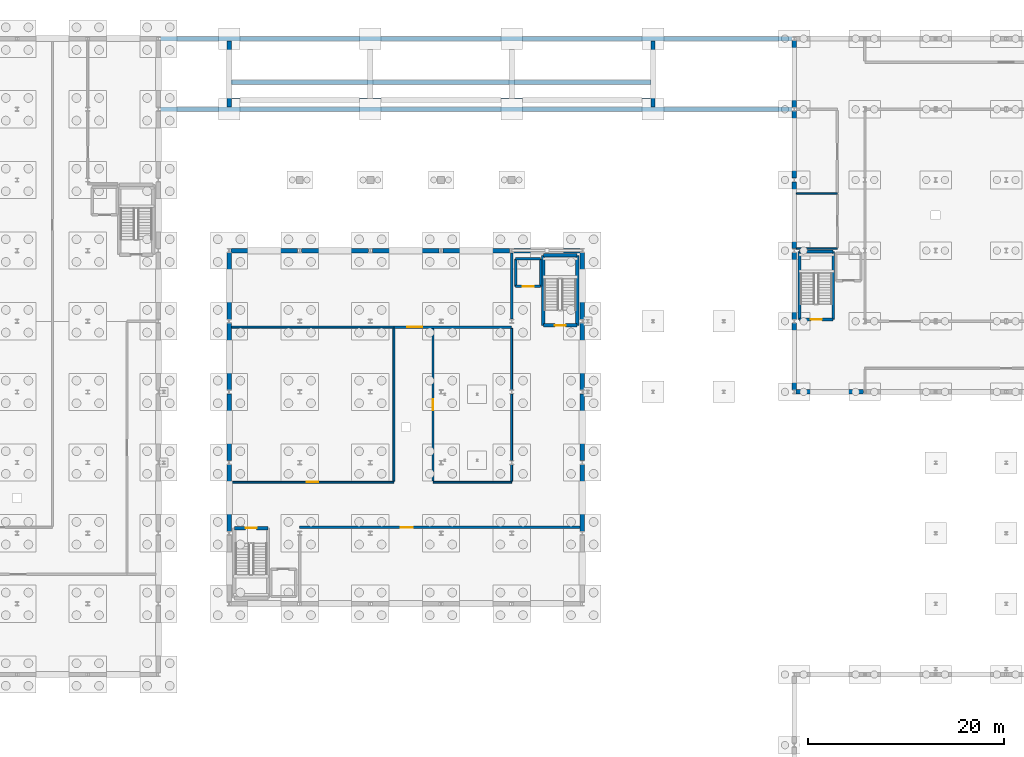
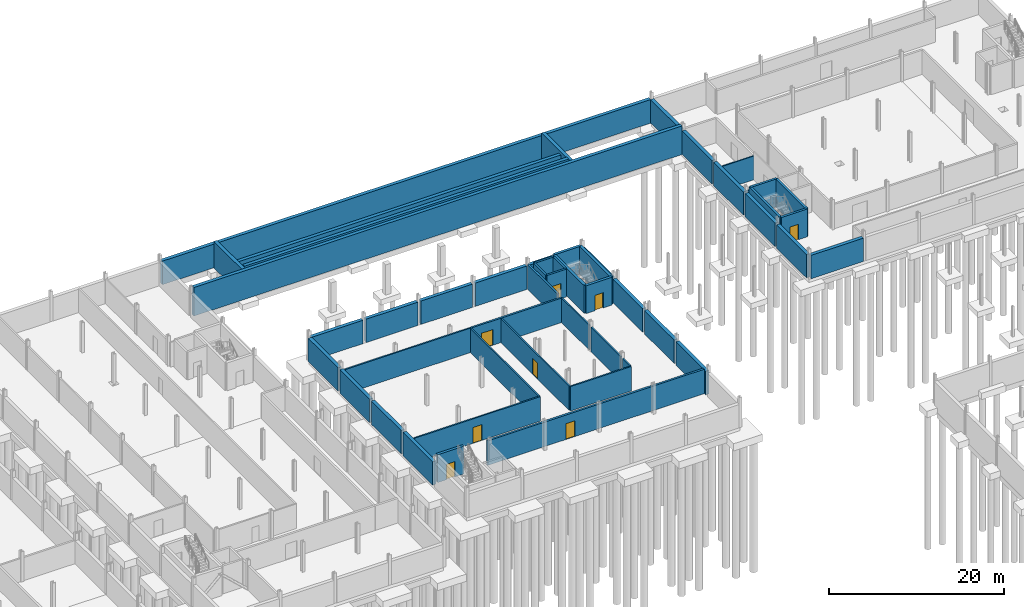
# One storey, part 39 of 50: 51 walls, 8 doors, 8 openings.
"""IFC4 building model written with IfcOpenShell, lengths in metres."""

from ifc_helpers import new_model, si_unit, direction, frame, frame_2d, origin, place, context, subcontext, project, spatial, rectangle, extrude, material, layer, layer_set, type_object, element, fill, save


model = new_model("IFC4")

# Units and contexts
model_context = context("Model", 3, precision=1e-05, world=origin(), true_north=direction((0.0, 1.0)))
body_context = subcontext(model_context, "Body", "Model", "MODEL_VIEW")
ifc_project = project(units=[si_unit("LENGTHUNIT", "METRE"), si_unit("AREAUNIT", "SQUARE_METRE"), si_unit("VOLUMEUNIT", "CUBIC_METRE"), si_unit("PLANEANGLEUNIT", "RADIAN"), si_unit("MASSUNIT", "GRAM", prefix="KILO")], contexts=[model_context])

# Site, building, storey
site_placement = place(None, origin())
site = spatial("IfcSite", under=ifc_project, at=site_placement, CompositionType="ELEMENT")
building_placement = place(site_placement, origin())
building = spatial("IfcBuilding", under=site, at=building_placement, Name="Narikvali Park Central Library", CompositionType="ELEMENT")
storey_placement = place(building_placement, frame((0.0, 0.0, -4.199951171875)))
storey = spatial("IfcBuildingStorey", under=building, at=storey_placement, Name="B1", CompositionType="ELEMENT", Elevation=-4.199951171875)

# Walls
ifc_material_1 = material(Name="Concrete C35/45", Category="concrete")
ifc_layer_1 = layer(ifc_material_1, 0.449951171875, Name="Concrete C35/45")
ifc_layer_set_1 = layer_set([ifc_layer_1], Name="Concrete C35/45")
wall_type_1 = type_object("IfcWallType", Name="Basement Perimeter Retaining Wall 450", PredefinedType="USERDEFINED", material=ifc_layer_set_1)
for number, where, z_axis, x_axis, name in (
    (1, (65.00048828125, 93.60009765625, 0.0), (0.0, 0.0, 1.0), (1.0, 0.0, 0.0), "V1 B1 Retaining Wall N"),
    (2, (72.200439453125, 93.60009765625, 0.0), (0.0, 0.0, 1.0), (1.0, 0.0, 0.0), "V1 B1 Retaining Wall N"),
    (3, (79.400390625, 93.60009765625, 0.0), (0.0, 0.0, 1.0), (1.0, 0.0, 0.0), "V1 B1 Retaining Wall N"),
):
    element("IfcWall", number, at=place(storey_placement, frame(where, z_axis=z_axis, x_axis=x_axis)), inside=storey, type_object=wall_type_1, Name=name, ObjectType="RETAINING WALL", PredefinedType="USERDEFINED", context=body_context, shape_type="SweptSolid", body=[
        extrude(rectangle(XDim=6.799072265625, YDim=0.449951171875, at=frame_2d((3.3994140625, 0.0))), origin(), (0.0, 0.0, 1.0), 3.260009765625),
    ])
wall_1_placement = place(storey_placement, frame((86.6005859375, 93.60009765625, 0.0), z_axis=(0.0, 0.0, 1.0), x_axis=(1.0, 0.0, 0.0)))
element("IfcWall", 4, at=wall_1_placement, inside=storey, type_object=wall_type_1, Name="V1 B1 Retaining Wall N", ObjectType="RETAINING WALL", PredefinedType="USERDEFINED", context=body_context, shape_type="SweptSolid", body=[
    extrude(rectangle(XDim=6.798828125, YDim=0.449951171875, at=frame_2d((3.3994140625, 0.0))), origin(), (0.0, 0.0, 1.0), 3.260009765625),
])
wall_2_placement = place(storey_placement, frame((93.800537109375, 93.60009765625, 0.0), z_axis=(0.0, 0.0, 1.0), x_axis=(1.0, 0.0, 0.0)))
element("IfcWall", 5, at=wall_2_placement, inside=storey, type_object=wall_type_1, Name="V1 B1 Retaining Wall N", ObjectType="RETAINING WALL", PredefinedType="USERDEFINED", context=body_context, shape_type="SweptSolid", body=[
    extrude(rectangle(XDim=6.799072265625, YDim=0.449951171875, at=frame_2d((3.3994140625, 0.0))), origin(), (0.0, 0.0, 1.0), 3.260009765625),
])
for number, where, z_axis, x_axis, name in (
    (6, (64.800048828125, 64.99951171875, 0.0), (0.0, 0.0, 1.0), (0.0, 1.0, 0.0), "V1 B1 Retaining Wall W"),
    (7, (100.800048828125, 64.99951171875, 0.0), (0.0, 0.0, 1.0), (0.0, 1.0, 0.0), "V1 B1 Retaining Wall E"),
    (8, (64.800048828125, 72.199462890625, 0.0), (0.0, 0.0, 1.0), (0.0, 1.0, 0.0), "V1 B1 Retaining Wall W"),
    (9, (100.800048828125, 72.199462890625, 0.0), (0.0, 0.0, 1.0), (0.0, 1.0, 0.0), "V1 B1 Retaining Wall E"),
    (10, (64.800048828125, 79.3994140625, 0.0), (0.0, 0.0, 1.0), (0.0, 1.0, 0.0), "V1 B1 Retaining Wall W"),
    (11, (100.800048828125, 79.3994140625, 0.0), (0.0, 0.0, 1.0), (0.0, 1.0, 0.0), "V1 B1 Retaining Wall E"),
):
    element("IfcWall", number, at=place(storey_placement, frame(where, z_axis=z_axis, x_axis=x_axis)), inside=storey, type_object=wall_type_1, Name=name, ObjectType="RETAINING WALL", PredefinedType="USERDEFINED", context=body_context, shape_type="SweptSolid", body=[
        extrude(rectangle(XDim=6.801025390625, YDim=0.449951171875, at=frame_2d((3.400390625, 0.0))), origin(), (0.0, 0.0, 1.0), 3.260009765625),
    ])
for number, where, z_axis, x_axis, name in (
    (12, (64.800048828125, 86.599609375, 0.0), (0.0, 0.0, 1.0), (0.0, 1.0, 0.0), "V1 B1 Retaining Wall W"),
    (13, (100.800048828125, 86.599609375, 0.0), (0.0, 0.0, 1.0), (0.0, 1.0, 0.0), "V1 B1 Retaining Wall E"),
):
    element("IfcWall", number, at=place(storey_placement, frame(where, z_axis=z_axis, x_axis=x_axis)), inside=storey, type_object=wall_type_1, Name=name, ObjectType="RETAINING WALL", PredefinedType="USERDEFINED", context=body_context, shape_type="SweptSolid", body=[
        extrude(rectangle(XDim=6.80078125, YDim=0.449951171875, at=frame_2d((3.400390625, 0.0))), origin(), (0.0, 0.0, 1.0), 3.260009765625),
    ])
wall_3_placement = place(storey_placement, frame((122.553955078125, 79.199951171875, 0.0), z_axis=(0.0, 0.0, 1.0), x_axis=(1.0, 0.0, 0.0)))
element("IfcWall", 14, at=wall_3_placement, inside=storey, type_object=wall_type_1, Name="V3 B1 Retaining Wall S", ObjectType="RETAINING WALL", PredefinedType="USERDEFINED", context=body_context, shape_type="SweptSolid", body=[
    extrude(rectangle(XDim=6.89208984375, YDim=0.449951171875, at=frame_2d((3.446044921875, 0.0))), origin(), (0.0, 0.0, 1.0), 3.260009765625),
])
wall_4_placement = place(storey_placement, frame((122.39990234375, 79.3974609375, 0.0), z_axis=(0.0, 0.0, 1.0), x_axis=(0.0, 1.0, 0.0)))
element("IfcWall", 15, at=wall_4_placement, inside=storey, type_object=wall_type_1, Name="V3 B1 Retaining Wall W", ObjectType="RETAINING WALL", PredefinedType="USERDEFINED", context=body_context, shape_type="SweptSolid", body=[
    extrude(rectangle(XDim=6.804931640625, YDim=0.449951171875, at=frame_2d((3.40234375, 0.0))), origin(), (0.0, 0.0, 1.0), 3.260009765625),
])
wall_5_placement = place(storey_placement, frame((122.39990234375, 86.597412109375, 0.0), z_axis=(0.0, 0.0, 1.0), x_axis=(0.0, 1.0, 0.0)))
element("IfcWall", 16, at=wall_5_placement, inside=storey, type_object=wall_type_1, Name="V3 B1 Retaining Wall W", ObjectType="RETAINING WALL", PredefinedType="USERDEFINED", context=body_context, shape_type="SweptSolid", body=[
    extrude(rectangle(XDim=6.80517578125, YDim=0.449951171875, at=frame_2d((3.402587890625, 0.0))), origin(), (0.0, 0.0, 1.0), 3.260009765625),
])
for number, where, z_axis, x_axis, name in (
    (17, (122.39990234375, 93.797607421875, 0.0), (0.0, 0.0, 1.0), (0.0, 1.0, 0.0), "V3 B1 Retaining Wall W"),
    (18, (122.39990234375, 100.99755859375, 0.0), (0.0, 0.0, 1.0), (0.0, 1.0, 0.0), "V3 B1 Retaining Wall W"),
    (19, (122.39990234375, 108.197509765625, 0.0), (0.0, 0.0, 1.0), (0.0, 1.0, 0.0), "V3 B1 Retaining Wall W"),
):
    element("IfcWall", number, at=place(storey_placement, frame(where, z_axis=z_axis, x_axis=x_axis)), inside=storey, type_object=wall_type_1, Name=name, ObjectType="RETAINING WALL", PredefinedType="USERDEFINED", context=body_context, shape_type="SweptSolid", body=[
        extrude(rectangle(XDim=6.804931640625, YDim=0.449951171875, at=frame_2d((3.40234375, 0.0))), origin(), (0.0, 0.0, 1.0), 3.260009765625),
    ])
wall_6_placement = place(storey_placement, frame((57.820068359375, 115.199951171875, 0.0), z_axis=(0.0, 0.0, 1.0), x_axis=(1.0, 0.0, 0.0)))
element("IfcWall", 20, at=wall_6_placement, inside=storey, type_object=wall_type_1, Name="Forecourt Substructure Retaining Wall FC-RW-N1", ObjectType="RETAINING WALL", PredefinedType="USERDEFINED", context=body_context, shape_type="SweptSolid", body=[
    extrude(rectangle(XDim=64.35986328125, YDim=0.449951171875, at=frame_2d((32.179931640625, 0.0))), origin(), (0.0, 0.0, 1.0), 3.294921875),
])
wall_7_placement = place(storey_placement, frame((57.820068359375, 108.0, 0.0), z_axis=(0.0, 0.0, 1.0), x_axis=(1.0, 0.0, 0.0)))
element("IfcWall", 21, at=wall_7_placement, inside=storey, type_object=wall_type_1, Name="Forecourt Substructure Retaining Wall FC-RW-S1", ObjectType="RETAINING WALL", PredefinedType="USERDEFINED", context=body_context, shape_type="SweptSolid", body=[
    extrude(rectangle(XDim=64.35986328125, YDim=0.449951171875, at=frame_2d((32.179931640625, 0.0))), origin(), (0.0, 0.0, 1.0), 3.97998046875),
])
wall_8_placement = place(storey_placement, frame((65.02001953125, 108.949951171875, 0.0), z_axis=(0.0, 0.0, 1.0), x_axis=(1.0, 0.0, 0.0)))
element("IfcWall", 22, at=wall_8_placement, inside=storey, type_object=wall_type_1, Name="Forecourt Substructure Retaining Wall FC-RW-ST", ObjectType="RETAINING WALL", PredefinedType="USERDEFINED", context=body_context, shape_type="SweptSolid", body=[
    extrude(rectangle(XDim=42.760009765625, YDim=0.449951171875, at=frame_2d((21.3798828125, 0.0))), origin(), (0.0, 0.0, 1.0), 3.844970703125),
])
wall_9_placement = place(storey_placement, frame((65.02001953125, 110.75, 0.0), z_axis=(0.0, 0.0, 1.0), x_axis=(1.0, 0.0, 0.0)))
element("IfcWall", 23, at=wall_9_placement, inside=storey, type_object=wall_type_1, Name="Forecourt Substructure Retaining Wall FC-RW-STL", ObjectType="RETAINING WALL", PredefinedType="USERDEFINED", context=body_context, shape_type="SweptSolid", body=[
    extrude(rectangle(XDim=42.760009765625, YDim=0.449951171875, at=frame_2d((21.3798828125, 0.0))), origin(), (0.0, 0.0, 1.0), 3.294921875),
])
for number, where, z_axis, x_axis, name in (
    (24, (64.800048828125, 108.219970703125, 0.0), (0.0, 0.0, 1.0), (0.0, 1.0, 0.0), "Forecourt Substructure Retaining Wall FC-RW-C1"),
    (25, (108.0, 108.219970703125, 0.0), (0.0, 0.0, 1.0), (0.0, 1.0, 0.0), "Forecourt Substructure Retaining Wall FC-RW-C2"),
):
    element("IfcWall", number, at=place(storey_placement, frame(where, z_axis=z_axis, x_axis=x_axis)), inside=storey, type_object=wall_type_1, Name=name, ObjectType="RETAINING WALL", PredefinedType="USERDEFINED", context=body_context, shape_type="SweptSolid", body=[
        extrude(rectangle(XDim=6.760009765625, YDim=0.449951171875, at=frame_2d((3.3798828125, 0.0))), origin(), (0.0, 0.0, 1.0), 3.679931640625),
    ])

# Wall, opening, door
ifc_material_2 = material(Name="Cleanroom Gypsum on Steel Studs", Category="steel")
ifc_layer_2 = layer(ifc_material_2, 0.18994140625, Name="Cleanroom Gypsum on Steel Studs")
ifc_layer_set_2 = layer_set([ifc_layer_2], Name="Cleanroom Gypsum on Steel Studs")
wall_type_2 = type_object("IfcWallType", Name="Conservation Lab Partition Wall 190", PredefinedType="PARTITIONING", material=ifc_layer_set_2)
wall_10_placement = place(storey_placement, frame((65.02490234375, 70.0, 0.0), z_axis=(0.0, 0.0, 1.0), x_axis=(1.0, 0.0, 0.0)))
wall_10 = element("IfcWall", 26, at=wall_10_placement, inside=storey, type_object=wall_type_2, Name="Paper Conservation Laboratory Partition S", PredefinedType="PARTITIONING", context=body_context, shape_type="SweptSolid", body=[
    extrude(rectangle(XDim=16.5751953125, YDim=0.18994140625, at=frame_2d((8.28759765625, 0.0))), origin(), (0.0, 0.0, 1.0), 3.408935546875),
])
opening_1_placement = place(wall_10_placement, frame((7.71240234375, 0.0, 0.0)))
opening_1 = element("IfcOpeningElement", 27, at=opening_1_placement, cuts=wall_10, Name="Opening ID-0029", PredefinedType="OPENING", context=body_context, shape_type="SweptSolid", body=[
    extrude(rectangle(XDim=1.14990234375, YDim=2.199951171875, at=frame_2d((0.574951171875, 1.10009765625))), frame((0.0, 0.10693359375, 0.0), z_axis=(0.0, -1.0, 0.0), x_axis=(1.0, 0.0, 0.0)), (0.0, 0.0, 1.0), 0.2138671875),
])
ifc_material_3 = material(Name="Powder-Coated Steel S275", Category="steel")
door_type_1 = type_object("IfcDoorType", Name="Conservation Lab Clean Door 1150x2200", OperationType="SINGLE_SWING_RIGHT", PredefinedType="DOOR", material=ifc_material_3)
door_1_placement = place(opening_1_placement, origin())
door_1 = element("IfcDoor", 28, at=door_1_placement, inside=storey, type_object=door_type_1, Name="Paper Conservation Laboratory Door ID-0029", OperationType="SINGLE_SWING_LEFT", OverallHeight=2.199951171875, OverallWidth=1.14990234375, PredefinedType="DOOR", context=body_context, shape_type="SweptSolid", body=[
    extrude(rectangle(XDim=1.14990234375, YDim=2.199951171875, at=frame_2d((0.574951171875, 1.10009765625))), frame((0.0, 0.02490234375, 0.0), z_axis=(0.0, -1.0, 0.0), x_axis=(1.0, 0.0, 0.0)), (0.0, 0.0, 1.0), 0.050048828125),
])
fill(opening_1, door_1)

# Walls
wall_11_placement = place(storey_placement, frame((65.02490234375, 85.800048828125, 0.0), z_axis=(0.0, 0.0, 1.0), x_axis=(1.0, 0.0, 0.0)))
element("IfcWall", 29, at=wall_11_placement, inside=storey, type_object=wall_type_2, Name="Paper Conservation Laboratory Partition N", PredefinedType="PARTITIONING", context=body_context, shape_type="SweptSolid", body=[
    extrude(rectangle(XDim=16.5751953125, YDim=0.18994140625, at=frame_2d((8.28759765625, 0.0))), origin(), (0.0, 0.0, 1.0), 3.408935546875),
])
wall_12_placement = place(storey_placement, frame((85.60009765625, 70.0, 0.0), z_axis=(0.0, 0.0, 1.0), x_axis=(1.0, 0.0, 0.0)))
element("IfcWall", 30, at=wall_12_placement, inside=storey, type_object=wall_type_2, Name="Conservation Specimen Room Partition S", PredefinedType="PARTITIONING", context=body_context, shape_type="SweptSolid", body=[
    extrude(rectangle(XDim=8.0, YDim=0.18994140625, at=frame_2d((4.0, 0.0))), origin(), (0.0, 0.0, 1.0), 3.408935546875),
])
wall_13_placement = place(storey_placement, frame((81.60009765625, 70.096923828125, 0.0), z_axis=(0.0, 0.0, 1.0), x_axis=(0.0, 1.0, 0.0)))
element("IfcWall", 31, at=wall_13_placement, inside=storey, type_object=wall_type_2, Name="Paper Conservation Laboratory Partition E", PredefinedType="PARTITIONING", context=body_context, shape_type="SweptSolid", body=[
    extrude(rectangle(XDim=15.60595703125, YDim=0.18994140625, at=frame_2d((7.802978515625, 0.0))), origin(), (0.0, 0.0, 1.0), 3.364990234375),
])

# Wall, opening, door
wall_14_placement = place(storey_placement, frame((85.60009765625, 70.096923828125, 0.0), z_axis=(0.0, 0.0, 1.0), x_axis=(0.0, 1.0, 0.0)))
wall_14 = element("IfcWall", 32, at=wall_14_placement, inside=storey, type_object=wall_type_2, Name="Conservation Specimen Room Partition W", PredefinedType="PARTITIONING", context=body_context, shape_type="SweptSolid", body=[
    extrude(rectangle(XDim=15.576171875, YDim=0.18994140625, at=frame_2d((7.7880859375, 0.0))), origin(), (0.0, 0.0, 1.0), 3.364990234375),
])
opening_2_placement = place(wall_14_placement, frame((7.212890625, 0.0, 0.0)))
opening_2 = element("IfcOpeningElement", 33, at=opening_2_placement, cuts=wall_14, Name="Opening ID-0031", PredefinedType="OPENING", context=body_context, shape_type="SweptSolid", body=[
    extrude(rectangle(XDim=1.14990234375, YDim=2.199951171875, at=frame_2d((0.574951171875, 1.10009765625))), frame((0.0, 0.10693359375, 0.0), z_axis=(0.0, -1.0, 0.0), x_axis=(1.0, 0.0, 0.0)), (0.0, 0.0, 1.0), 0.2138671875),
])
door_2_placement = place(opening_2_placement, frame((1.14990234375, 0.0, 0.0), z_axis=(0.0, 0.0, 1.0), x_axis=(-1.0, 0.0, 0.0)))
door_2 = element("IfcDoor", 34, at=door_2_placement, inside=storey, type_object=door_type_1, Name="Conservation Specimen Room Door ID-0031", OperationType="SINGLE_SWING_LEFT", OverallHeight=2.199951171875, OverallWidth=1.14990234375, PredefinedType="DOOR", context=body_context, shape_type="SweptSolid", body=[
    extrude(rectangle(XDim=1.14990234375, YDim=2.199951171875, at=frame_2d((0.574951171875, 1.10009765625))), frame((0.0, 0.02490234375, 0.0), z_axis=(0.0, -1.0, 0.0), x_axis=(1.0, 0.0, 0.0)), (0.0, 0.0, 1.0), 0.050048828125),
])
fill(opening_2, door_2)

# Walls
wall_15_placement = place(storey_placement, frame((93.60009765625, 70.096923828125, 0.0), z_axis=(0.0, 0.0, 1.0), x_axis=(0.0, 1.0, 0.0)))
element("IfcWall", 35, at=wall_15_placement, inside=storey, type_object=wall_type_2, Name="Conservation Specimen Room Partition E", PredefinedType="PARTITIONING", context=body_context, shape_type="SweptSolid", body=[
    extrude(rectangle(XDim=1.695556640625, YDim=0.18994140625, at=frame_2d((0.84765625, 0.0))), origin(), (0.0, 0.0, 1.0), 3.425048828125),
])
wall_16_placement = place(storey_placement, frame((93.60009765625, 72.20751953125, 0.0), z_axis=(0.0, 0.0, 1.0), x_axis=(0.0, 1.0, 0.0)))
element("IfcWall", 36, at=wall_16_placement, inside=storey, type_object=wall_type_2, Name="Conservation Specimen Room Partition E", PredefinedType="PARTITIONING", context=body_context, shape_type="SweptSolid", body=[
    extrude(rectangle(XDim=6.784912109375, YDim=0.18994140625, at=frame_2d((3.392578125, 0.0))), origin(), (0.0, 0.0, 1.0), 3.425048828125),
])
wall_17_placement = place(storey_placement, frame((93.60009765625, 79.407470703125, 0.0), z_axis=(0.0, 0.0, 1.0), x_axis=(0.0, 1.0, 0.0)))
element("IfcWall", 37, at=wall_17_placement, inside=storey, type_object=wall_type_2, Name="Conservation Specimen Room Partition E", PredefinedType="PARTITIONING", context=body_context, shape_type="SweptSolid", body=[
    extrude(rectangle(XDim=6.265625, YDim=0.18994140625, at=frame_2d((3.1328125, 0.0))), origin(), (0.0, 0.0, 1.0), 3.425048828125),
])
ifc_material_4 = material(Name="Moisture-Resistant Cement Board on Steel Studs", Category="steel")
ifc_layer_3 = layer(ifc_material_4, 0.14990234375, Name="Moisture-Resistant Cement Board on Steel Studs")
ifc_layer_set_3 = layer_set([ifc_layer_3], Name="Moisture-Resistant Cement Board on Steel Studs")
wall_type_3 = type_object("IfcWallType", Name="Moisture-Resistant WC Partition 150", PredefinedType="PARTITIONING", material=ifc_layer_set_3)
for number, where, z_axis, x_axis, name in (
    (38, (122.625, 93.800048828125, 0.0), (0.0, 0.0, 1.0), (1.0, 0.0, 0.0), "Backstage Accessible WC B1 Partition S"),
    (39, (122.625, 99.39990234375, 0.0), (0.0, 0.0, 1.0), (1.0, 0.0, 0.0), "Backstage Accessible WC B1 Partition N"),
):
    element("IfcWall", number, at=place(storey_placement, frame(where, z_axis=z_axis, x_axis=x_axis)), inside=storey, type_object=wall_type_3, Name=name, PredefinedType="PARTITIONING", context=body_context, shape_type="SweptSolid", body=[
        extrude(rectangle(XDim=4.175048828125, YDim=0.14990234375, at=frame_2d((2.08740234375, 0.0))), origin(), (0.0, 0.0, 1.0), 3.31494140625),
    ])

# Wall, opening, door
ifc_material_5 = material(Name="Concrete Blockwork C30/37", Category="masonry")
ifc_layer_4 = layer(ifc_material_5, 0.25, Name="Concrete Blockwork C30/37")
ifc_layer_set_4 = layer_set([ifc_layer_4], Name="Concrete Blockwork C30/37")
wall_type_4 = type_object("IfcWallType", Name="Plant Room Acoustic Fire Wall 250", PredefinedType="SOLIDWALL", material=ifc_layer_set_4)
wall_18_placement = place(storey_placement, frame((81.60205078125, 85.800048828125, 0.0), z_axis=(0.0, 0.0, 1.0), x_axis=(1.0, 0.0, 0.0)))
wall_18 = element("IfcWall", 40, at=wall_18_placement, inside=storey, type_object=wall_type_4, Name="Central Hall Air Handling Plant Room Partition S", PredefinedType="SOLIDWALL", context=body_context, shape_type="SweptSolid", body=[
    extrude(rectangle(XDim=11.998046875, YDim=0.25, at=frame_2d((5.9990234375, 0.0))), origin(), (0.0, 0.0, 1.0), 3.408935546875),
])
opening_3_placement = place(wall_18_placement, frame((1.368896484375, 0.0, 0.0)))
opening_3 = element("IfcOpeningElement", 41, at=opening_3_placement, cuts=wall_18, Name="Opening ID-0030", PredefinedType="OPENING", context=body_context, shape_type="SweptSolid", body=[
    extrude(rectangle(XDim=1.5, YDim=2.199951171875, at=frame_2d((0.75, 1.10009765625))), frame((0.0, 0.136962890625, 0.0), z_axis=(0.0, -1.0, 0.0), x_axis=(1.0, 0.0, 0.0)), (0.0, 0.0, 1.0), 0.27392578125),
])
ifc_material_6 = material(Name="Galvanised Steel S275 Louvred Fire Leaf", Category="steel")
door_type_2 = type_object("IfcDoorType", Name="Plant Room Double Steel Fire Door 1500x2200", OperationType="DOUBLE_DOOR_SINGLE_SWING", PredefinedType="DOOR", material=ifc_material_6)
door_3_placement = place(opening_3_placement, frame((1.5, 0.0, 0.0), z_axis=(0.0, 0.0, 1.0), x_axis=(-1.0, 0.0, 0.0)))
door_3 = element("IfcDoor", 42, at=door_3_placement, inside=storey, type_object=door_type_2, Name="Central Hall Air Handling Plant Room Door ID-0030", OperationType="DOUBLE_DOOR_SINGLE_SWING", OverallHeight=2.199951171875, OverallWidth=1.5, PredefinedType="DOOR", context=body_context, shape_type="SweptSolid", body=[
    extrude(rectangle(XDim=1.5, YDim=2.199951171875, at=frame_2d((0.75, 1.10009765625))), frame((0.0, 0.02490234375, 0.0), z_axis=(0.0, -1.0, 0.0), x_axis=(1.0, 0.0, 0.0)), (0.0, 0.0, 1.0), 0.050048828125),
])
fill(opening_3, door_3)

# Wall
wall_19_placement = place(storey_placement, frame((93.60009765625, 86.607421875, 0.0), z_axis=(0.0, 0.0, 1.0), x_axis=(0.0, 1.0, 0.0)))
element("IfcWall", 43, at=wall_19_placement, inside=storey, type_object=wall_type_4, Name="Central Hall Air Handling Plant Room Partition E", PredefinedType="SOLIDWALL", context=body_context, shape_type="SweptSolid", body=[
    extrude(rectangle(XDim=6.767578125, YDim=0.25, at=frame_2d((3.3837890625, 0.0))), origin(), (0.0, 0.0, 1.0), 3.425048828125),
])

# Wall, opening, door
ifc_material_7 = material(Name="High-Density Concrete Blockwork C35/45", Category="masonry")
ifc_layer_5 = layer(ifc_material_7, 0.27001953125, Name="High-Density Concrete Blockwork C35/45")
ifc_layer_set_5 = layer_set([ifc_layer_5], Name="High-Density Concrete Blockwork C35/45")
wall_type_5 = type_object("IfcWallType", Name="Rare Books Vault Partition Wall 270", PredefinedType="SOLIDWALL", material=ifc_layer_set_5)
wall_20_placement = place(storey_placement, frame((72.0, 65.39990234375, 0.0), z_axis=(0.0, 0.0, 1.0), x_axis=(1.0, 0.0, 0.0)))
wall_20 = element("IfcWall", 44, at=wall_20_placement, inside=storey, type_object=wall_type_5, Name="Municipal Historical Archive Partition N", PredefinedType="SOLIDWALL", context=body_context, shape_type="SweptSolid", body=[
    extrude(rectangle(XDim=28.574951171875, YDim=0.27001953125, at=frame_2d((14.28759765625, 0.0))), origin(), (0.0, 0.0, 1.0), 3.408935546875),
])
opening_4_placement = place(wall_20_placement, frame((10.320068359375, 0.0, 0.0)))
opening_4 = element("IfcOpeningElement", 45, at=opening_4_placement, cuts=wall_20, Name="Opening ID-0028", PredefinedType="OPENING", context=body_context, shape_type="SweptSolid", body=[
    extrude(rectangle(XDim=1.199951171875, YDim=2.199951171875, at=frame_2d((0.60009765625, 1.10009765625))), frame((0.0, 0.14697265625, 0.0), z_axis=(0.0, -1.0, 0.0), x_axis=(1.0, 0.0, 0.0)), (0.0, 0.0, 1.0), 0.2939453125),
])
ifc_material_8 = material(Name="Insulated Steel S355 Vault Leaf", Category="steel")
door_type_3 = type_object("IfcDoorType", Name="Archive Vault Heavy Fire Door 1200x2200", OperationType="SINGLE_SWING_LEFT", PredefinedType="DOOR", material=ifc_material_8)
door_4_placement = place(opening_4_placement, frame((1.199951171875, 0.0, 0.0), z_axis=(0.0, 0.0, 1.0), x_axis=(-1.0, 0.0, 0.0)))
door_4 = element("IfcDoor", 46, at=door_4_placement, inside=storey, type_object=door_type_3, Name="Municipal Historical Archive Door ID-0028", OperationType="SINGLE_SWING_RIGHT", OverallHeight=2.199951171875, OverallWidth=1.199951171875, PredefinedType="DOOR", context=body_context, shape_type="SweptSolid", body=[
    extrude(rectangle(XDim=1.199951171875, YDim=2.199951171875, at=frame_2d((0.60009765625, 1.10009765625))), frame((0.0, 0.02490234375, 0.0), z_axis=(0.0, -1.0, 0.0), x_axis=(1.0, 0.0, 0.0)), (0.0, 0.0, 1.0), 0.050048828125),
])
fill(opening_4, door_4)

ifc_material_9 = material(Name="Concrete C40/50", Category="concrete")
ifc_layer_6 = layer(ifc_material_9, 0.35009765625, Name="Concrete C40/50")
ifc_layer_set_6 = layer_set([ifc_layer_6], Name="Concrete C40/50")
wall_type_6 = type_object("IfcWallType", Name="Reinforced Concrete Core Shear Wall 350", PredefinedType="SHEAR", material=ifc_layer_set_6)
wall_21_placement = place(storey_placement, frame((68.77001953125, 65.320068359375, 0.0), z_axis=(0.0, 0.0, 1.0), x_axis=(-1.0, 0.0, 0.0)))
wall_21 = element("IfcWall", 47, at=wall_21_placement, inside=storey, type_object=wall_type_6, Name="C1A B1 Stair Core Shear Wall N", PredefinedType="SHEAR", context=body_context, shape_type="SweptSolid", body=[
    extrude(rectangle(XDim=3.43994140625, YDim=0.35009765625, at=frame_2d((1.719970703125, 0.0))), origin(), (0.0, 0.0, 1.0), 3.8798828125),
])
opening_5_placement = place(wall_21_placement, frame((1.169921875, 0.0, 0.0)))
opening_5 = element("IfcOpeningElement", 48, at=opening_5_placement, cuts=wall_21, Name="Opening SD-001", PredefinedType="OPENING", context=body_context, shape_type="SweptSolid", body=[
    extrude(rectangle(XDim=1.10009765625, YDim=2.14990234375, at=frame_2d((0.550048828125, 1.074951171875))), frame((0.0, 0.18701171875, 0.0), z_axis=(0.0, -1.0, 0.0), x_axis=(1.0, 0.0, 0.0)), (0.0, 0.0, 1.0), 0.3740234375),
])
ifc_material_10 = material(Name="Powder-Coated Steel S275 Fire Leaf", Category="steel")
door_type_4 = type_object("IfcDoorType", Name="Stair Core Smoke-Control Fire Door 1100x2150", OperationType="SINGLE_SWING_LEFT", PredefinedType="DOOR", material=ifc_material_10)
door_5_placement = place(opening_5_placement, frame((1.10009765625, 0.0, 0.0), z_axis=(0.0, 0.0, 1.0), x_axis=(-1.0, 0.0, 0.0)))
door_5 = element("IfcDoor", 49, at=door_5_placement, inside=storey, type_object=door_type_4, Name="ST-01 B1 Stair Exit Door SD-001", OperationType="SINGLE_SWING_LEFT", OverallHeight=2.14990234375, OverallWidth=1.10009765625, PredefinedType="DOOR", context=body_context, shape_type="SweptSolid", body=[
    extrude(rectangle(XDim=1.10009765625, YDim=2.14990234375, at=frame_2d((0.550048828125, 1.074951171875))), frame((0.0, 0.02490234375, 0.0), z_axis=(0.0, -1.0, 0.0), x_axis=(1.0, 0.0, 0.0)), (0.0, 0.0, 1.0), 0.050048828125),
])
fill(opening_5, door_5)

wall_22_placement = place(storey_placement, frame((96.830078125, 85.97998046875, 0.0), z_axis=(0.0, 0.0, 1.0), x_axis=(1.0, 0.0, 0.0)))
wall_22 = element("IfcWall", 50, at=wall_22_placement, inside=storey, type_object=wall_type_6, Name="C1B B1 Stair Core Shear Wall S", PredefinedType="SHEAR", context=body_context, shape_type="SweptSolid", body=[
    extrude(rectangle(XDim=3.43994140625, YDim=0.35009765625, at=frame_2d((1.719970703125, 0.0))), origin(), (0.0, 0.0, 1.0), 3.8798828125),
])
opening_6_placement = place(wall_22_placement, frame((1.169921875, 0.0, 0.0)))
opening_6 = element("IfcOpeningElement", 51, at=opening_6_placement, cuts=wall_22, Name="Opening SD-006", PredefinedType="OPENING", context=body_context, shape_type="SweptSolid", body=[
    extrude(rectangle(XDim=1.10009765625, YDim=2.14990234375, at=frame_2d((0.550048828125, 1.074951171875))), frame((0.0, 0.18701171875, 0.0), z_axis=(0.0, -1.0, 0.0), x_axis=(1.0, 0.0, 0.0)), (0.0, 0.0, 1.0), 0.3740234375),
])
door_6_placement = place(opening_6_placement, frame((1.10009765625, 0.0, 0.0), z_axis=(0.0, 0.0, 1.0), x_axis=(-1.0, 0.0, 0.0)))
door_6 = element("IfcDoor", 52, at=door_6_placement, inside=storey, type_object=door_type_4, Name="ST-02 B1 Stair Exit Door SD-006", OperationType="SINGLE_SWING_RIGHT", OverallHeight=2.14990234375, OverallWidth=1.10009765625, PredefinedType="DOOR", context=body_context, shape_type="SweptSolid", body=[
    extrude(rectangle(XDim=1.10009765625, YDim=2.14990234375, at=frame_2d((0.550048828125, 1.074951171875))), frame((0.0, 0.02490234375, 0.0), z_axis=(0.0, -1.0, 0.0), x_axis=(1.0, 0.0, 0.0)), (0.0, 0.0, 1.0), 0.050048828125),
])
fill(opening_6, door_6)

# Walls
wall_23_placement = place(storey_placement, frame((100.27001953125, 85.97998046875, 0.0), z_axis=(0.0, 0.0, 1.0), x_axis=(0.0, 1.0, 0.0)))
element("IfcWall", 53, at=wall_23_placement, inside=storey, type_object=wall_type_6, Name="C1B B1 Stair Core Shear Wall E", PredefinedType="SHEAR", context=body_context, shape_type="SweptSolid", body=[
    extrude(rectangle(XDim=7.14013671875, YDim=0.35009765625, at=frame_2d((3.570068359375, 0.0))), origin(), (0.0, 0.0, 1.0), 3.8798828125),
])
wall_24_placement = place(storey_placement, frame((100.27001953125, 93.1201171875, 0.0), z_axis=(0.0, 0.0, 1.0), x_axis=(-1.0, 0.0, 0.0)))
element("IfcWall", 54, at=wall_24_placement, inside=storey, type_object=wall_type_6, Name="C1B B1 Stair Core Shear Wall N", PredefinedType="SHEAR", context=body_context, shape_type="SweptSolid", body=[
    extrude(rectangle(XDim=3.43994140625, YDim=0.35009765625, at=frame_2d((1.719970703125, 0.0))), origin(), (0.0, 0.0, 1.0), 3.8798828125),
])
wall_25_placement = place(storey_placement, frame((96.830078125, 93.1201171875, 0.0), z_axis=(0.0, 0.0, 1.0), x_axis=(0.0, -1.0, 0.0)))
element("IfcWall", 55, at=wall_25_placement, inside=storey, type_object=wall_type_6, Name="C1B B1 Stair Core Shear Wall W", PredefinedType="SHEAR", context=body_context, shape_type="SweptSolid", body=[
    extrude(rectangle(XDim=7.14013671875, YDim=0.35009765625, at=frame_2d((3.570068359375, 0.0))), origin(), (0.0, 0.0, 1.0), 3.8798828125),
])

# Wall, opening, door
ifc_layer_7 = layer(ifc_material_9, 0.25, Name="Concrete C40/50")
ifc_layer_set_7 = layer_set([ifc_layer_7], Name="Concrete C40/50")
wall_type_7 = type_object("IfcWallType", Name="Reinforced Concrete Lift Shaft Wall 250", PredefinedType="SHEAR", material=ifc_layer_set_7)
wall_26_placement = place(storey_placement, frame((94.0, 89.949951171875, 0.0), z_axis=(0.0, 0.0, 1.0), x_axis=(1.0, 0.0, 0.0)))
wall_26 = element("IfcWall", 56, at=wall_26_placement, inside=storey, type_object=wall_type_7, Name="L-02 B1 Lift Shaft Wall S", PredefinedType="SHEAR", context=body_context, shape_type="SweptSolid", body=[
    extrude(rectangle(XDim=2.550048828125, YDim=0.25, at=frame_2d((1.27490234375, 0.0))), origin(), (0.0, 0.0, 1.0), 3.8798828125),
])
opening_7_placement = place(wall_26_placement, frame((0.72509765625, 0.0, 0.0)))
opening_7 = element("IfcOpeningElement", 57, at=opening_7_placement, cuts=wall_26, Name="Opening LD-006", PredefinedType="OPENING", context=body_context, shape_type="SweptSolid", body=[
    extrude(rectangle(XDim=1.10009765625, YDim=2.10009765625, at=frame_2d((0.550048828125, 1.050048828125))), frame((0.0, 0.136962890625, 0.0), z_axis=(0.0, -1.0, 0.0), x_axis=(1.0, 0.0, 0.0)), (0.0, 0.0, 1.0), 0.27392578125),
])
ifc_material_11 = material(Name="Brushed Stainless Steel S355", Category="steel")
door_type_5 = type_object("IfcDoorType", Name="Passenger Lift Sliding Landing Door 1100x2100", OperationType="SLIDING_TO_LEFT", PredefinedType="DOOR", material=ifc_material_11)
door_7_placement = place(opening_7_placement, origin())
door_7 = element("IfcDoor", 58, at=door_7_placement, inside=storey, type_object=door_type_5, Name="L-02 B1 Lift Landing Sliding Door LD-006", OperationType="SLIDING_TO_LEFT", OverallHeight=2.10009765625, OverallWidth=1.10009765625, PredefinedType="DOOR", context=body_context, shape_type="SweptSolid", body=[
    extrude(rectangle(XDim=1.10009765625, YDim=2.10009765625, at=frame_2d((0.550048828125, 1.050048828125))), frame((0.0, 0.02490234375, 0.0), z_axis=(0.0, -1.0, 0.0), x_axis=(1.0, 0.0, 0.0)), (0.0, 0.0, 1.0), 0.050048828125),
])
fill(opening_7, door_7)

# Walls
wall_27_placement = place(storey_placement, frame((96.550048828125, 89.949951171875, 0.0), z_axis=(0.0, 0.0, 1.0), x_axis=(0.0, 1.0, 0.0)))
element("IfcWall", 59, at=wall_27_placement, inside=storey, type_object=wall_type_7, Name="L-02 B1 Lift Shaft Wall E", PredefinedType="SHEAR", context=body_context, shape_type="SweptSolid", body=[
    extrude(rectangle(XDim=2.800048828125, YDim=0.25, at=frame_2d((1.39990234375, 0.0))), origin(), (0.0, 0.0, 1.0), 3.8798828125),
])
wall_28_placement = place(storey_placement, frame((96.550048828125, 92.75, 0.0), z_axis=(0.0, 0.0, 1.0), x_axis=(-1.0, 0.0, 0.0)))
element("IfcWall", 60, at=wall_28_placement, inside=storey, type_object=wall_type_7, Name="L-02 B1 Lift Shaft Wall N", PredefinedType="SHEAR", context=body_context, shape_type="SweptSolid", body=[
    extrude(rectangle(XDim=2.550048828125, YDim=0.25, at=frame_2d((1.27490234375, 0.0))), origin(), (0.0, 0.0, 1.0), 3.8798828125),
])
wall_29_placement = place(storey_placement, frame((94.0, 92.75, 0.0), z_axis=(0.0, 0.0, 1.0), x_axis=(0.0, -1.0, 0.0)))
element("IfcWall", 61, at=wall_29_placement, inside=storey, type_object=wall_type_7, Name="L-02 B1 Lift Shaft Wall W", PredefinedType="SHEAR", context=body_context, shape_type="SweptSolid", body=[
    extrude(rectangle(XDim=2.800048828125, YDim=0.25, at=frame_2d((1.39990234375, 0.0))), origin(), (0.0, 0.0, 1.0), 3.8798828125),
])

# Wall, opening, door
ifc_layer_8 = layer(ifc_material_9, 0.300048828125, Name="Concrete C40/50")
ifc_layer_set_8 = layer_set([ifc_layer_8], Name="Concrete C40/50")
wall_type_8 = type_object("IfcWallType", Name="Reinforced Concrete Shear Wall 300", PredefinedType="SHEAR", material=ifc_layer_set_8)
wall_30_placement = place(storey_placement, frame((122.929931640625, 86.580078125, 0.0), z_axis=(0.0, 0.0, 1.0), x_axis=(1.0, 0.0, 0.0)))
wall_30 = element("IfcWall", 62, at=wall_30_placement, inside=storey, type_object=wall_type_8, Name="C3A B1 Stair Core Shear Wall S", PredefinedType="SHEAR", context=body_context, shape_type="SweptSolid", body=[
    extrude(rectangle(XDim=3.440185546875, YDim=0.300048828125, at=frame_2d((1.72021484375, 0.0))), origin(), (0.0, 0.0, 1.0), 3.8798828125),
])
opening_8_placement = place(wall_30_placement, frame((1.169921875, 0.0, 0.0)))
opening_8 = element("IfcOpeningElement", 63, at=opening_8_placement, cuts=wall_30, Name="Opening SD-016", PredefinedType="OPENING", context=body_context, shape_type="SweptSolid", body=[
    extrude(rectangle(XDim=1.10009765625, YDim=2.14990234375, at=frame_2d((0.550048828125, 1.074951171875))), frame((0.0, 0.162109375, 0.0), z_axis=(0.0, -1.0, 0.0), x_axis=(1.0, 0.0, 0.0)), (0.0, 0.0, 1.0), 0.323974609375),
])
door_8_placement = place(opening_8_placement, frame((1.10009765625, 0.0, 0.0), z_axis=(0.0, 0.0, 1.0), x_axis=(-1.0, 0.0, 0.0)))
door_8 = element("IfcDoor", 64, at=door_8_placement, inside=storey, type_object=door_type_4, Name="ST-05 B1 Stair Exit Door SD-016", OperationType="SINGLE_SWING_RIGHT", OverallHeight=2.14990234375, OverallWidth=1.10009765625, PredefinedType="DOOR", context=body_context, shape_type="SweptSolid", body=[
    extrude(rectangle(XDim=1.10009765625, YDim=2.14990234375, at=frame_2d((0.550048828125, 1.074951171875))), frame((0.0, 0.02490234375, 0.0), z_axis=(0.0, -1.0, 0.0), x_axis=(1.0, 0.0, 0.0)), (0.0, 0.0, 1.0), 0.050048828125),
])
fill(opening_8, door_8)

# Walls
wall_31_placement = place(storey_placement, frame((126.3701171875, 86.580078125, 0.0), z_axis=(0.0, 0.0, 1.0), x_axis=(0.0, 1.0, 0.0)))
element("IfcWall", 65, at=wall_31_placement, inside=storey, type_object=wall_type_8, Name="C3A B1 Stair Core Shear Wall E", PredefinedType="SHEAR", context=body_context, shape_type="SweptSolid", body=[
    extrude(rectangle(XDim=6.93994140625, YDim=0.300048828125, at=frame_2d((3.469970703125, 0.0))), origin(), (0.0, 0.0, 1.0), 3.8798828125),
])
wall_32_placement = place(storey_placement, frame((126.3701171875, 93.52001953125, 0.0), z_axis=(0.0, 0.0, 1.0), x_axis=(-1.0, 0.0, 0.0)))
element("IfcWall", 66, at=wall_32_placement, inside=storey, type_object=wall_type_8, Name="C3A B1 Stair Core Shear Wall N", PredefinedType="SHEAR", context=body_context, shape_type="SweptSolid", body=[
    extrude(rectangle(XDim=3.440185546875, YDim=0.300048828125, at=frame_2d((1.72021484375, 0.0))), origin(), (0.0, 0.0, 1.0), 3.8798828125),
])
wall_33_placement = place(storey_placement, frame((122.929931640625, 93.52001953125, 0.0), z_axis=(0.0, 0.0, 1.0), x_axis=(0.0, -1.0, 0.0)))
element("IfcWall", 67, at=wall_33_placement, inside=storey, type_object=wall_type_8, Name="C3A B1 Stair Core Shear Wall W", PredefinedType="SHEAR", context=body_context, shape_type="SweptSolid", body=[
    extrude(rectangle(XDim=6.93994140625, YDim=0.300048828125, at=frame_2d((3.469970703125, 0.0))), origin(), (0.0, 0.0, 1.0), 3.8798828125),
])

save(model, "model.ifc")
